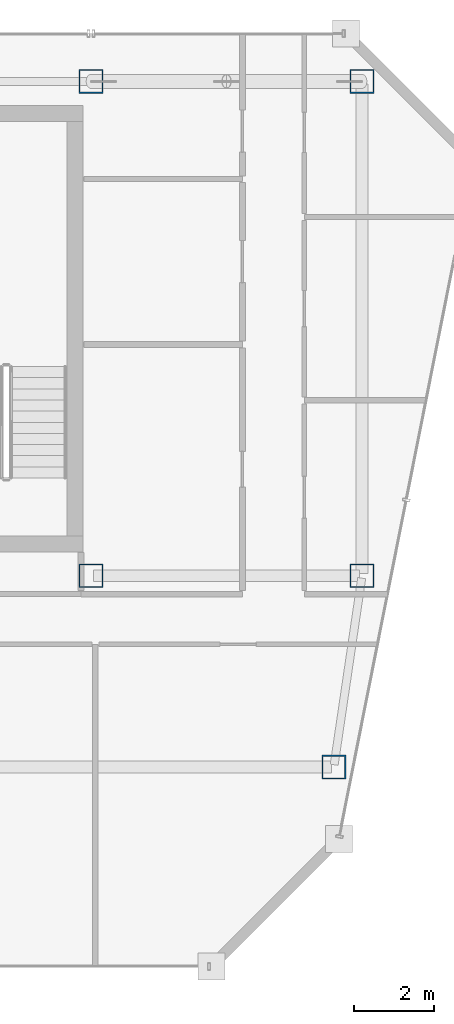
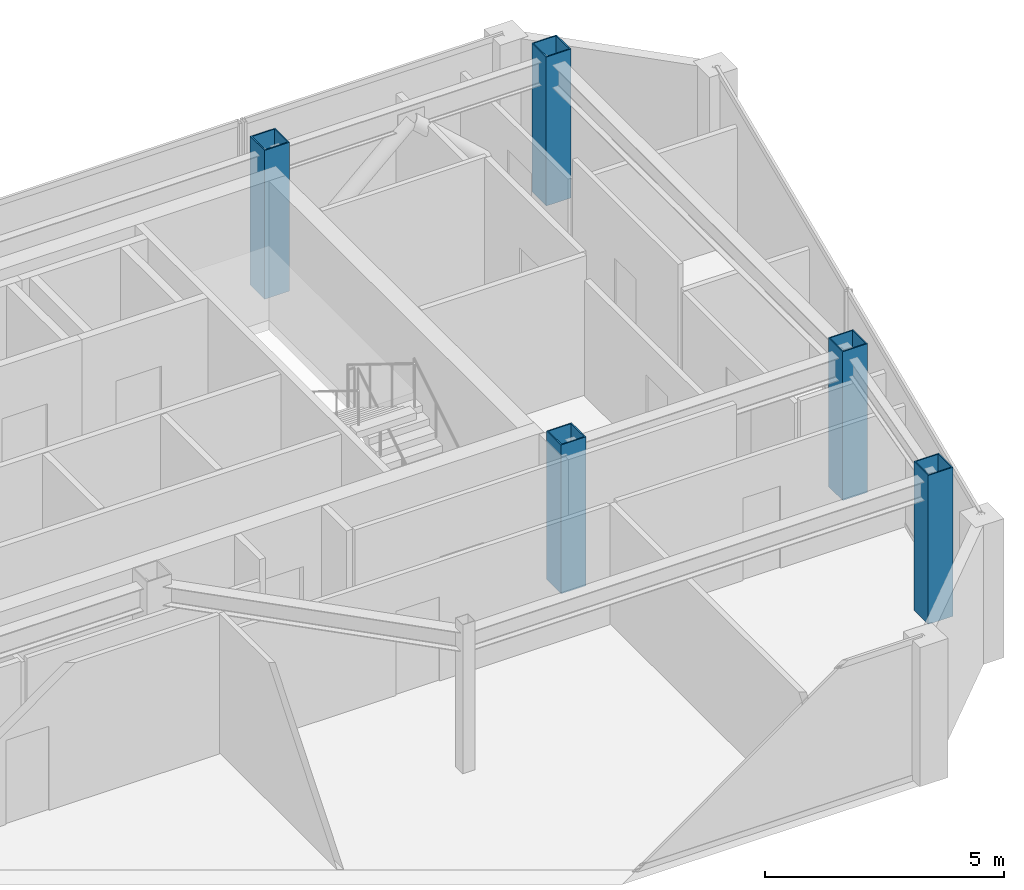
# One storey, part 2 of 24: 5 columns.
"""IFC4 building model written with IfcOpenShell, lengths in metres."""

import ifcopenshell
import ifcopenshell.guid

model = None  # the IFC model being written
_history = None  # IfcOwnerHistory: only IFC2X3 demands one
_inside = {}  # id of a spatial element -> (the spatial element, [elements in it])
_under = {}  # id of a project, library or spatial element -> (it, [spatial elements below it])
_declared = {}  # id of a project -> (the project, [libraries it declares])
_typed = {}  # id of a type object -> (the type object, [elements of that type])
_made_of = {}  # id of a material, layer set ... -> (it, [elements and type objects made of it])


def new_model(schema):
    """Start an empty IFC model of exactly this schema.

    Asked for "IFC4X3", IfcOpenShell would pick the latest addendum, in which some entities
    have other attributes; the version numbers below select the first issue.
    IFC2X3 requires an IfcOwnerHistory on every rooted entity: one is made here for all.
    """
    global model, _history
    if schema == "IFC4X3":
        model = ifcopenshell.file(schema_version=(4, 3, 0, 0))
    else:
        model = ifcopenshell.file(schema=schema)
    _inside.clear()
    _under.clear()
    _declared.clear()
    _typed.clear()
    _made_of.clear()
    _history = None
    if model.schema == "IFC2X3":
        org = make("IfcOrganization", Name="unknown")
        user = make(
            "IfcPersonAndOrganization",
            ThePerson=make("IfcPerson", FamilyName="unknown"),
            TheOrganization=org,
        )
        app = make(
            "IfcApplication",
            ApplicationDeveloper=org,
            Version="unknown",
            ApplicationFullName="unknown",
            ApplicationIdentifier="unknown",
        )
        _history = make(
            "IfcOwnerHistory",
            OwningUser=user,
            OwningApplication=app,
            ChangeAction="ADDED",
            CreationDate=0,
        )
    return model


def make(cls, **values):
    """One entity of the class cls with the attributes given. An attribute that is None is left unset."""
    return model.create_entity(
        cls, **{name: value for name, value in values.items() if value is not None}
    )


def rooted(cls, **values):
    """An entity with a GlobalId (a new one), such as an element, a storey or a relation."""
    return make(cls, GlobalId=ifcopenshell.guid.new(), OwnerHistory=_history, **values)


def si_unit(unit_type, name, prefix=None):
    """IfcSIUnit, for example si_unit("LENGTHUNIT", "METRE", prefix="MILLI")."""
    return make("IfcSIUnit", UnitType=unit_type, Prefix=prefix, Name=name)


def assignment(units):
    """IfcUnitAssignment: the units of a project."""
    return None if units is None else make("IfcUnitAssignment", Units=units)


def point(xyz):
    """IfcCartesianPoint."""
    return None if xyz is None else make("IfcCartesianPoint", Coordinates=xyz)


def direction(xyz):
    """IfcDirection."""
    return None if xyz is None else make("IfcDirection", DirectionRatios=xyz)


def frame(location, z_axis=None, x_axis=None):
    """IfcAxis2Placement3D, a coordinate frame: its origin and axes. An axis left out is left unset."""
    return make(
        "IfcAxis2Placement3D",
        Location=point(location),
        Axis=direction(z_axis),
        RefDirection=direction(x_axis),
    )


def frame_2d(location, x_axis=None):
    """IfcAxis2Placement2D, a coordinate frame in the plane: its origin and x axis."""
    return make(
        "IfcAxis2Placement2D", Location=point(location), RefDirection=direction(x_axis)
    )


def origin():
    """The frame at (0, 0, 0) with its axes left unset."""
    return frame((0.0, 0.0, 0.0))


def origin_2d():
    """The frame at (0, 0) in the plane with its x axis left unset."""
    return frame_2d((0.0, 0.0))


def place(relative_to, where):
    """IfcLocalPlacement: puts the frame where relative to a parent placement (None: the world)."""
    return make(
        "IfcLocalPlacement", PlacementRelTo=relative_to, RelativePlacement=where
    )


def context(
    kind, dimensions, precision=None, world=None, true_north=None, identifier=None
):
    """IfcGeometricRepresentationContext, for example the 3D "Model" context."""
    return make(
        "IfcGeometricRepresentationContext",
        ContextIdentifier=identifier,
        ContextType=kind,
        CoordinateSpaceDimension=dimensions,
        Precision=precision,
        WorldCoordinateSystem=world,
        TrueNorth=true_north,
    )


def subcontext(parent, identifier, kind, view, scale=None):
    """IfcGeometricRepresentationSubContext, for example "Body" below "Model"."""
    return make(
        "IfcGeometricRepresentationSubContext",
        ContextIdentifier=identifier,
        ContextType=kind,
        ParentContext=parent,
        TargetScale=scale,
        TargetView=view,
    )


def project(units=None, contexts=None):
    """IfcProject with its units and contexts."""
    return rooted(
        "IfcProject",
        Name="project",
        RepresentationContexts=contexts,
        UnitsInContext=assignment(units),
    )


def spatial(cls, under=None, at=None, **own):
    """A site, building, storey or space (cls), placed at a placement, below another one or the project."""
    s = rooted(cls, ObjectPlacement=at, **own)
    if under is not None:
        _under.setdefault(under.id(), (under, []))[1].append(s)
    return s


def profile(cls, at=None, kind="AREA", **sizes):
    """A parametric profile (cls). Its sizes go by their IFC names, for example OverallWidth=200.0."""
    return make(cls, ProfileType=kind, Position=at, **sizes)


def hollow_rectangle(**sizes):
    """IfcRectangleHollowProfileDef."""
    return profile("IfcRectangleHollowProfileDef", **sizes)


def extrude(swept, where, along, depth):
    """IfcExtrudedAreaSolid: the profile swept, set in the frame where, extruded along a direction by depth."""
    return make(
        "IfcExtrudedAreaSolid",
        SweptArea=swept,
        Position=where,
        ExtrudedDirection=direction(along),
        Depth=depth,
    )


def shape(context_of_items, identifier, shape_type, items):
    """IfcShapeRepresentation: the items that make up one representation, for example the "Body"."""
    return make(
        "IfcShapeRepresentation",
        ContextOfItems=context_of_items,
        RepresentationIdentifier=identifier,
        RepresentationType=shape_type,
        Items=items,
    )


def material(Name=None, Category=None):
    """IfcMaterial."""
    return make("IfcMaterial", Name=Name, Category=Category)


def material_profile(
    of_material, cross_section, Name=None, Category=None, Priority=None
):
    """IfcMaterialProfile: a cross section and its material."""
    return make(
        "IfcMaterialProfile",
        Name=Name,
        Material=of_material,
        Profile=cross_section,
        Priority=Priority,
        Category=Category,
    )


def profile_set(profiles, Name=None, composite=None):
    """IfcMaterialProfileSet."""
    return make(
        "IfcMaterialProfileSet",
        Name=Name,
        MaterialProfiles=profiles,
        CompositeProfile=composite,
    )


def made_of(thing, what):
    """Note that an element or type object is made of a material, layer set ...; save() writes the relation."""
    if what is not None:
        _made_of.setdefault(what.id(), (what, []))[1].append(thing)
    return thing


def type_object(cls, material=None, **own):
    """A type object (cls), such as IfcWallType, which elements share."""
    return made_of(rooted(cls, **own), material)


def element(
    cls,
    number,
    at=None,
    inside=None,
    cuts=None,
    type_object=None,
    material=None,
    context=None,
    identifier="Body",
    shape_type=None,
    held_by="IfcProductDefinitionShape",
    body=None,
    shapes=None,
    **own,
):
    """One element of the class cls, such as IfcWall. Its Tag is "e" and its number.

    at: its placement. inside: the storey or other place that contains it. cuts: it is an
    opening in that element (IfcRelVoidsElement). A single representation is given by context,
    identifier, shape_type and body (its items); several are given by shapes. held_by: the class
    of the entity that holds the representations. save() writes the other relations.
    """
    e = rooted(cls, Tag="e%d" % number, ObjectPlacement=at, **own)
    if body is not None:
        shapes = [shape(context, identifier, shape_type, body)]
    if shapes is not None:
        e.Representation = make(held_by, Representations=shapes)
    if inside is not None:
        _inside.setdefault(inside.id(), (inside, []))[1].append(e)
    if cuts is not None:
        rooted(
            "IfcRelVoidsElement", RelatingBuildingElement=cuts, RelatedOpeningElement=e
        )
    if type_object is not None:
        _typed.setdefault(type_object.id(), (type_object, []))[1].append(e)
    return made_of(e, material)


def aggregate(whole, parts):
    """IfcRelAggregates: a whole, such as a stair, and the parts it consists of."""
    return rooted("IfcRelAggregates", RelatingObject=whole, RelatedObjects=parts)


def save(model, path):
    """Write the relations noted so far, then the file.

    IfcRelAggregates (storeys below a building ...), IfcRelContainedInSpatialStructure (elements
    in a storey), IfcRelDefinesByType, IfcRelAssociatesMaterial and IfcRelDeclares: one each for
    every whole, place, type object, material and project.
    """
    for whole, parts in _under.values():
        aggregate(whole, parts)
    for where, things in _inside.values():
        rooted(
            "IfcRelContainedInSpatialStructure",
            RelatedElements=things,
            RelatingStructure=where,
        )
    for kind, things in _typed.values():
        rooted("IfcRelDefinesByType", RelatedObjects=things, RelatingType=kind)
    for what, things in _made_of.values():
        rooted("IfcRelAssociatesMaterial", RelatedObjects=things, RelatingMaterial=what)
    for by, libraries in _declared.values():
        rooted("IfcRelDeclares", RelatingContext=by, RelatedDefinitions=libraries)
    model.write(path)


model = new_model("IFC4")

# Units and contexts
model_context = context("Model", 3, precision=1e-05, world=origin(), true_north=direction((0.0, 1.0)))
body_context = subcontext(model_context, "Body", "Model", "MODEL_VIEW")
ifc_project = project(units=[si_unit("LENGTHUNIT", "METRE"), si_unit("AREAUNIT", "SQUARE_METRE"), si_unit("VOLUMEUNIT", "CUBIC_METRE"), si_unit("PLANEANGLEUNIT", "RADIAN"), si_unit("MASSUNIT", "GRAM", prefix="KILO")], contexts=[model_context])

# Site, building, storey
site_placement = place(None, origin())
site = spatial("IfcSite", under=ifc_project, at=site_placement, CompositionType="ELEMENT")
building_placement = place(site_placement, origin())
building = spatial("IfcBuilding", under=site, at=building_placement, Name="Saevonmaru Cultural Tower", CompositionType="ELEMENT")
storey_placement = place(building_placement, frame((0.0, 0.0, 299.0)))
storey = spatial("IfcBuildingStorey", under=building, at=storey_placement, Name="L71", CompositionType="ELEMENT", Elevation=299.0)

# Columns
ifc_material = material(Name="Steel SM355", Category="steel")
ifc_material_profile = material_profile(ifc_material, hollow_rectangle(XDim=0.60009765625, YDim=0.60009765625, WallThickness=0.028076171875, at=origin_2d()), Name="BOX-600x600x28")
ifc_profile_set = profile_set([ifc_material_profile], Name="Steel SM355")
column_type = type_object("IfcColumnType", Name="COL-BOX-600", PredefinedType="COLUMN", material=ifc_profile_set)
for number, where, z_axis, x_axis, name in (
    (1, (46.39990234375, 54.800048828125, 0.0), (0.0, 0.0, 1.0), (1.0, 0.0, 0.0), "L71 Column TC-N5N"),
    (2, (53.199951171875, 54.800048828125, 0.0), (0.0, 0.0, 1.0), (1.0, 0.0, 0.0), "L71 Column TC-N6N"),
    (3, (46.39990234375, 42.39990234375, 0.0), (0.0, 0.0, 1.0), (1.0, 0.0, 0.0), "L71 Column TC-S5C"),
    (4, (53.199951171875, 42.39990234375, 0.0), (0.0, 0.0, 1.0), (1.0, 0.0, 0.0), "L71 Column TC-S6C"),
    (5, (52.491943359375, 37.60009765625, 0.0), (0.0, 0.0, 1.0), (1.0, 0.0, 0.0), "L71 Column TC-EO-Y376"),
):
    element("IfcColumn", number, at=place(storey_placement, frame(where, z_axis=z_axis, x_axis=x_axis)), inside=storey, type_object=column_type, Name=name, PredefinedType="COLUMN", context=body_context, shape_type="SweptSolid", body=[
        extrude(hollow_rectangle(XDim=0.60009765625, YDim=0.60009765625, WallThickness=0.028076171875, at=origin_2d()), origin(), (0.0, 0.0, 1.0), 3.800048828125),
    ])

save(model, "model.ifc")
